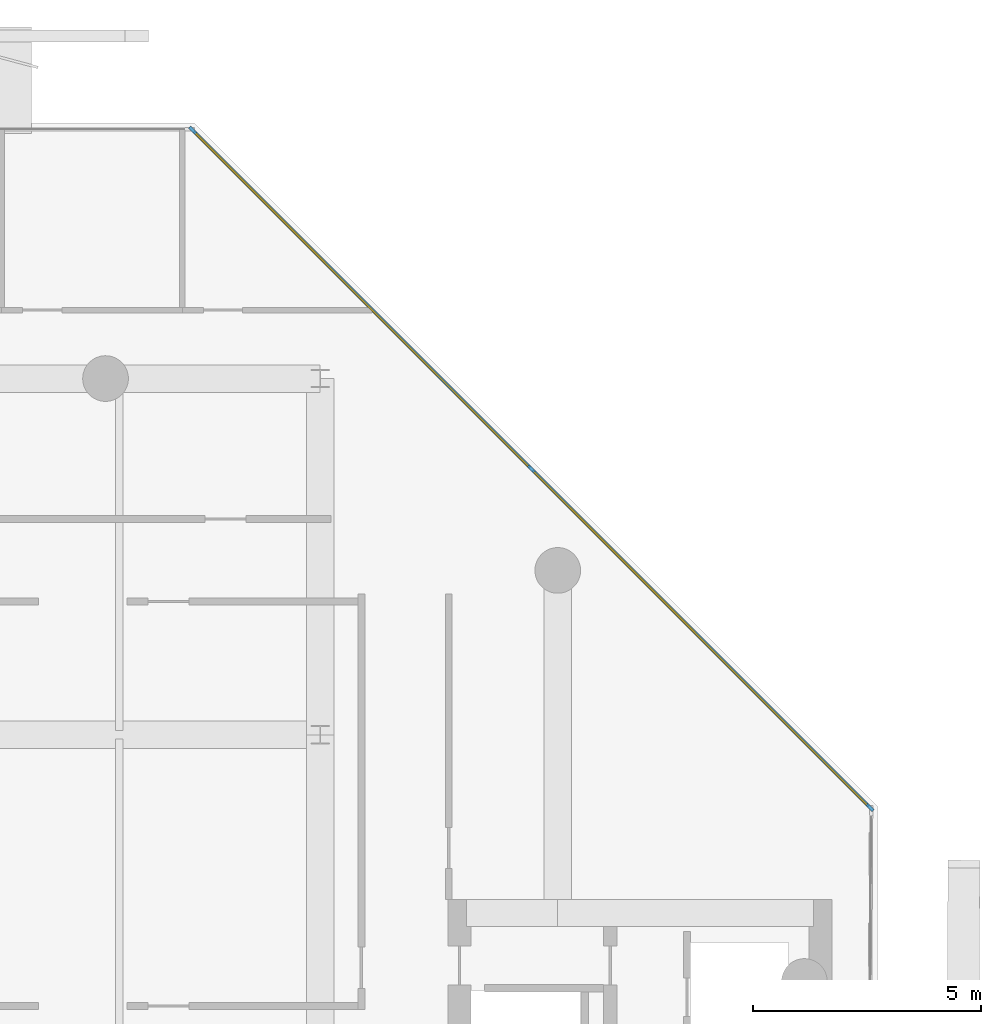
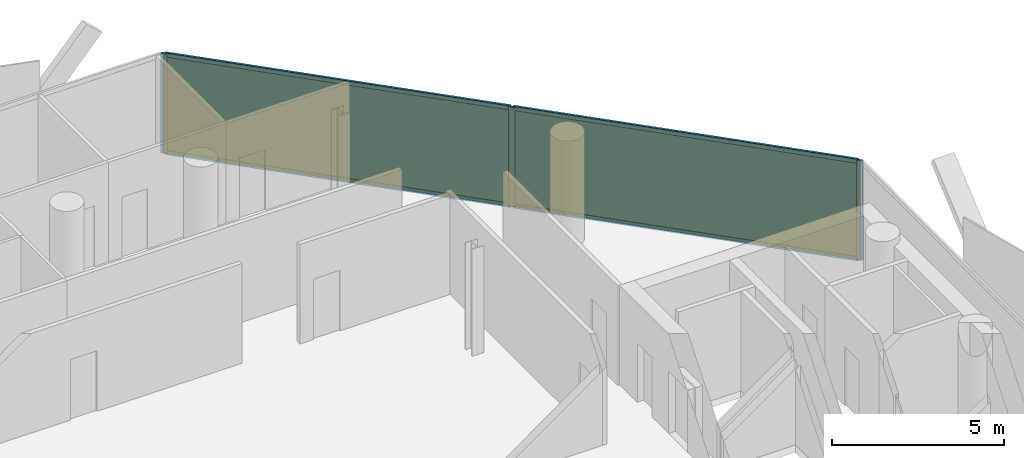
# One storey, part 13 of 17: 7 members, 2 plates, 1 curtain wall.
"""IFC4 building model written with IfcOpenShell, lengths in metres."""

import ifcopenshell
import ifcopenshell.guid

model = None  # the IFC model being written
_history = None  # IfcOwnerHistory: only IFC2X3 demands one
_inside = {}  # id of a spatial element -> (the spatial element, [elements in it])
_under = {}  # id of a project, library or spatial element -> (it, [spatial elements below it])
_declared = {}  # id of a project -> (the project, [libraries it declares])
_typed = {}  # id of a type object -> (the type object, [elements of that type])
_made_of = {}  # id of a material, layer set ... -> (it, [elements and type objects made of it])


def new_model(schema):
    """Start an empty IFC model of exactly this schema.

    Asked for "IFC4X3", IfcOpenShell would pick the latest addendum, in which some entities
    have other attributes; the version numbers below select the first issue.
    IFC2X3 requires an IfcOwnerHistory on every rooted entity: one is made here for all.
    """
    global model, _history
    if schema == "IFC4X3":
        model = ifcopenshell.file(schema_version=(4, 3, 0, 0))
    else:
        model = ifcopenshell.file(schema=schema)
    _inside.clear()
    _under.clear()
    _declared.clear()
    _typed.clear()
    _made_of.clear()
    _history = None
    if model.schema == "IFC2X3":
        org = make("IfcOrganization", Name="unknown")
        user = make(
            "IfcPersonAndOrganization",
            ThePerson=make("IfcPerson", FamilyName="unknown"),
            TheOrganization=org,
        )
        app = make(
            "IfcApplication",
            ApplicationDeveloper=org,
            Version="unknown",
            ApplicationFullName="unknown",
            ApplicationIdentifier="unknown",
        )
        _history = make(
            "IfcOwnerHistory",
            OwningUser=user,
            OwningApplication=app,
            ChangeAction="ADDED",
            CreationDate=0,
        )
    return model


def make(cls, **values):
    """One entity of the class cls with the attributes given. An attribute that is None is left unset."""
    return model.create_entity(
        cls, **{name: value for name, value in values.items() if value is not None}
    )


def rooted(cls, **values):
    """An entity with a GlobalId (a new one), such as an element, a storey or a relation."""
    return make(cls, GlobalId=ifcopenshell.guid.new(), OwnerHistory=_history, **values)


def si_unit(unit_type, name, prefix=None):
    """IfcSIUnit, for example si_unit("LENGTHUNIT", "METRE", prefix="MILLI")."""
    return make("IfcSIUnit", UnitType=unit_type, Prefix=prefix, Name=name)


def assignment(units):
    """IfcUnitAssignment: the units of a project."""
    return None if units is None else make("IfcUnitAssignment", Units=units)


def point(xyz):
    """IfcCartesianPoint."""
    return None if xyz is None else make("IfcCartesianPoint", Coordinates=xyz)


def direction(xyz):
    """IfcDirection."""
    return None if xyz is None else make("IfcDirection", DirectionRatios=xyz)


def frame(location, z_axis=None, x_axis=None):
    """IfcAxis2Placement3D, a coordinate frame: its origin and axes. An axis left out is left unset."""
    return make(
        "IfcAxis2Placement3D",
        Location=point(location),
        Axis=direction(z_axis),
        RefDirection=direction(x_axis),
    )


def frame_2d(location, x_axis=None):
    """IfcAxis2Placement2D, a coordinate frame in the plane: its origin and x axis."""
    return make(
        "IfcAxis2Placement2D", Location=point(location), RefDirection=direction(x_axis)
    )


def origin():
    """The frame at (0, 0, 0) with its axes left unset."""
    return frame((0.0, 0.0, 0.0))


def origin_2d():
    """The frame at (0, 0) in the plane with its x axis left unset."""
    return frame_2d((0.0, 0.0))


def place(relative_to, where):
    """IfcLocalPlacement: puts the frame where relative to a parent placement (None: the world)."""
    return make(
        "IfcLocalPlacement", PlacementRelTo=relative_to, RelativePlacement=where
    )


def context(
    kind, dimensions, precision=None, world=None, true_north=None, identifier=None
):
    """IfcGeometricRepresentationContext, for example the 3D "Model" context."""
    return make(
        "IfcGeometricRepresentationContext",
        ContextIdentifier=identifier,
        ContextType=kind,
        CoordinateSpaceDimension=dimensions,
        Precision=precision,
        WorldCoordinateSystem=world,
        TrueNorth=true_north,
    )


def subcontext(parent, identifier, kind, view, scale=None):
    """IfcGeometricRepresentationSubContext, for example "Body" below "Model"."""
    return make(
        "IfcGeometricRepresentationSubContext",
        ContextIdentifier=identifier,
        ContextType=kind,
        ParentContext=parent,
        TargetScale=scale,
        TargetView=view,
    )


def project(units=None, contexts=None):
    """IfcProject with its units and contexts."""
    return rooted(
        "IfcProject",
        Name="project",
        RepresentationContexts=contexts,
        UnitsInContext=assignment(units),
    )


def spatial(cls, under=None, at=None, **own):
    """A site, building, storey or space (cls), placed at a placement, below another one or the project."""
    s = rooted(cls, ObjectPlacement=at, **own)
    if under is not None:
        _under.setdefault(under.id(), (under, []))[1].append(s)
    return s


def profile(cls, at=None, kind="AREA", **sizes):
    """A parametric profile (cls). Its sizes go by their IFC names, for example OverallWidth=200.0."""
    return make(cls, ProfileType=kind, Position=at, **sizes)


def rectangle(**sizes):
    """IfcRectangleProfileDef."""
    return profile("IfcRectangleProfileDef", **sizes)


def extrude(swept, where, along, depth):
    """IfcExtrudedAreaSolid: the profile swept, set in the frame where, extruded along a direction by depth."""
    return make(
        "IfcExtrudedAreaSolid",
        SweptArea=swept,
        Position=where,
        ExtrudedDirection=direction(along),
        Depth=depth,
    )


def shape(context_of_items, identifier, shape_type, items):
    """IfcShapeRepresentation: the items that make up one representation, for example the "Body"."""
    return make(
        "IfcShapeRepresentation",
        ContextOfItems=context_of_items,
        RepresentationIdentifier=identifier,
        RepresentationType=shape_type,
        Items=items,
    )


def material(Name=None, Category=None):
    """IfcMaterial."""
    return make("IfcMaterial", Name=Name, Category=Category)


def layer(
    of_material, thickness, ventilated=None, Name=None, Category=None, Priority=None
):
    """IfcMaterialLayer: one layer of a wall or slab, of a material (None: an air gap)."""
    return make(
        "IfcMaterialLayer",
        Material=of_material,
        LayerThickness=thickness,
        IsVentilated=ventilated,
        Name=Name,
        Category=Category,
        Priority=Priority,
    )


def layer_set(layers, Name=None):
    """IfcMaterialLayerSet."""
    return make("IfcMaterialLayerSet", MaterialLayers=layers, LayerSetName=Name)


def material_profile(
    of_material, cross_section, Name=None, Category=None, Priority=None
):
    """IfcMaterialProfile: a cross section and its material."""
    return make(
        "IfcMaterialProfile",
        Name=Name,
        Material=of_material,
        Profile=cross_section,
        Priority=Priority,
        Category=Category,
    )


def profile_set(profiles, Name=None, composite=None):
    """IfcMaterialProfileSet."""
    return make(
        "IfcMaterialProfileSet",
        Name=Name,
        MaterialProfiles=profiles,
        CompositeProfile=composite,
    )


def made_of(thing, what):
    """Note that an element or type object is made of a material, layer set ...; save() writes the relation."""
    if what is not None:
        _made_of.setdefault(what.id(), (what, []))[1].append(thing)
    return thing


def type_object(cls, material=None, **own):
    """A type object (cls), such as IfcWallType, which elements share."""
    return made_of(rooted(cls, **own), material)


def element(
    cls,
    number,
    at=None,
    inside=None,
    cuts=None,
    type_object=None,
    material=None,
    context=None,
    identifier="Body",
    shape_type=None,
    held_by="IfcProductDefinitionShape",
    body=None,
    shapes=None,
    **own,
):
    """One element of the class cls, such as IfcWall. Its Tag is "e" and its number.

    at: its placement. inside: the storey or other place that contains it. cuts: it is an
    opening in that element (IfcRelVoidsElement). A single representation is given by context,
    identifier, shape_type and body (its items); several are given by shapes. held_by: the class
    of the entity that holds the representations. save() writes the other relations.
    """
    e = rooted(cls, Tag="e%d" % number, ObjectPlacement=at, **own)
    if body is not None:
        shapes = [shape(context, identifier, shape_type, body)]
    if shapes is not None:
        e.Representation = make(held_by, Representations=shapes)
    if inside is not None:
        _inside.setdefault(inside.id(), (inside, []))[1].append(e)
    if cuts is not None:
        rooted(
            "IfcRelVoidsElement", RelatingBuildingElement=cuts, RelatedOpeningElement=e
        )
    if type_object is not None:
        _typed.setdefault(type_object.id(), (type_object, []))[1].append(e)
    return made_of(e, material)


def aggregate(whole, parts):
    """IfcRelAggregates: a whole, such as a stair, and the parts it consists of."""
    return rooted("IfcRelAggregates", RelatingObject=whole, RelatedObjects=parts)


def save(model, path):
    """Write the relations noted so far, then the file.

    IfcRelAggregates (storeys below a building ...), IfcRelContainedInSpatialStructure (elements
    in a storey), IfcRelDefinesByType, IfcRelAssociatesMaterial and IfcRelDeclares: one each for
    every whole, place, type object, material and project.
    """
    for whole, parts in _under.values():
        aggregate(whole, parts)
    for where, things in _inside.values():
        rooted(
            "IfcRelContainedInSpatialStructure",
            RelatedElements=things,
            RelatingStructure=where,
        )
    for kind, things in _typed.values():
        rooted("IfcRelDefinesByType", RelatedObjects=things, RelatingType=kind)
    for what, things in _made_of.values():
        rooted("IfcRelAssociatesMaterial", RelatedObjects=things, RelatingMaterial=what)
    for by, libraries in _declared.values():
        rooted("IfcRelDeclares", RelatingContext=by, RelatedDefinitions=libraries)
    model.write(path)


model = new_model("IFC4")

# Units and contexts
model_context = context("Model", 3, precision=1e-05, world=origin(), true_north=direction((0.0, 1.0)))
body_context = subcontext(model_context, "Body", "Model", "MODEL_VIEW")
ifc_project = project(units=[si_unit("LENGTHUNIT", "METRE"), si_unit("AREAUNIT", "SQUARE_METRE"), si_unit("VOLUMEUNIT", "CUBIC_METRE"), si_unit("PLANEANGLEUNIT", "RADIAN"), si_unit("MASSUNIT", "GRAM", prefix="KILO")], contexts=[model_context])

# Member
ifc_material_1 = material(Name="Anodised Bronze Aluminium 6063-T6", Category="aluminium")
ifc_material_profile_1 = material_profile(ifc_material_1, rectangle(XDim=0.070068359375, YDim=0.18994140625, at=origin_2d()))
ifc_profile_set_1 = profile_set([ifc_material_profile_1], Name="Anodised Bronze Aluminium 6063-T6")
member_type_1 = type_object("IfcMemberType", Name="CW-SLC Mullion 70x190", PredefinedType="MULLION", material=ifc_profile_set_1)
site_placement = place(None, origin())
building_placement = place(site_placement, origin())
storey_placement = place(building_placement, frame((0.0, 0.0, 308.0)))
member_1_placement = place(storey_placement, frame((6.40673828125, 24.03515625, 0.0), z_axis=(0.0, 0.0, 1.0), x_axis=(0.707106781187, 0.707106781187, 0.0)))
member_1 = element("IfcMember", 1, at=member_1_placement, type_object=member_type_1, Name="CW-SLC mullion 1", PredefinedType="MULLION", context=body_context, shape_type="SweptSolid", body=[
    extrude(rectangle(XDim=0.070068359375, YDim=0.18994140625, at=origin_2d()), origin(), (0.0, 0.0, 1.0), 3.5400390625),
])

member_2_placement = place(storey_placement, frame((13.821044921875, 16.62109375, 0.0), z_axis=(0.0, 0.0, 1.0), x_axis=(0.707106781187, 0.707106781187, 0.0)))
member_2 = element("IfcMember", 2, at=member_2_placement, type_object=member_type_1, Name="CW-SLC mullion 2", PredefinedType="MULLION", context=body_context, shape_type="SweptSolid", body=[
    extrude(rectangle(XDim=0.070068359375, YDim=0.18994140625, at=origin_2d()), origin(), (0.0, 0.0, 1.0), 3.5400390625),
])

member_3_placement = place(storey_placement, frame((21.2353515625, 9.206787109375, 0.0), z_axis=(0.0, 0.0, 1.0), x_axis=(0.707106781187, 0.707106781187, 0.0)))
member_3 = element("IfcMember", 3, at=member_3_placement, type_object=member_type_1, Name="CW-SLC mullion 3", PredefinedType="MULLION", context=body_context, shape_type="SweptSolid", body=[
    extrude(rectangle(XDim=0.070068359375, YDim=0.18994140625, at=origin_2d()), origin(), (0.0, 0.0, 1.0), 3.5400390625),
])

ifc_material_2 = material(Name="Anodised Bronze Aluminium 6063-T6", Category="aluminium")
ifc_material_profile_2 = material_profile(ifc_material_2, rectangle(XDim=0.070068359375, YDim=0.14990234375, at=origin_2d()))
ifc_profile_set_2 = profile_set([ifc_material_profile_2], Name="Anodised Bronze Aluminium 6063-T6")
member_type_2 = type_object("IfcMemberType", Name="CW-SLC Transom 70x150", PredefinedType="USERDEFINED", material=ifc_profile_set_2)
member_4_placement = place(storey_placement, frame((6.431396484375, 24.010498046875, 0.034912109375), z_axis=(0.707106781187, -0.707106781187, 0.0), x_axis=(0.707106781187, 0.707106781187, 0.0)))
member_4 = element("IfcMember", 4, at=member_4_placement, type_object=member_type_2, Name="CW-SLC transom 1.1", ObjectType="TRANSOM", PredefinedType="USERDEFINED", context=body_context, shape_type="SweptSolid", body=[
    extrude(rectangle(XDim=0.070068359375, YDim=0.14990234375, at=origin_2d()), origin(), (0.0, 0.0, 1.0), 10.415283203125),
])

member_5_placement = place(storey_placement, frame((6.431396484375, 24.010498046875, 3.5048828125), z_axis=(0.707106781187, -0.707106781187, 0.0), x_axis=(0.707106781187, 0.707106781187, 0.0)))
member_5 = element("IfcMember", 5, at=member_5_placement, type_object=member_type_2, Name="CW-SLC transom 1.2", ObjectType="TRANSOM", PredefinedType="USERDEFINED", context=body_context, shape_type="SweptSolid", body=[
    extrude(rectangle(XDim=0.070068359375, YDim=0.14990234375, at=origin_2d()), origin(), (0.0, 0.0, 1.0), 10.415283203125),
])

member_6_placement = place(storey_placement, frame((13.845703125, 16.59619140625, 0.034912109375), z_axis=(0.707106781187, -0.707106781187, 0.0), x_axis=(0.707106781187, 0.707106781187, 0.0)))
member_6 = element("IfcMember", 6, at=member_6_placement, type_object=member_type_2, Name="CW-SLC transom 2.1", ObjectType="TRANSOM", PredefinedType="USERDEFINED", context=body_context, shape_type="SweptSolid", body=[
    extrude(rectangle(XDim=0.070068359375, YDim=0.14990234375, at=origin_2d()), origin(), (0.0, 0.0, 1.0), 10.415283203125),
])

member_7_placement = place(storey_placement, frame((13.845703125, 16.59619140625, 3.5048828125), z_axis=(0.707106781187, -0.707106781187, 0.0), x_axis=(0.707106781187, 0.707106781187, 0.0)))
member_7 = element("IfcMember", 7, at=member_7_placement, type_object=member_type_2, Name="CW-SLC transom 2.2", ObjectType="TRANSOM", PredefinedType="USERDEFINED", context=body_context, shape_type="SweptSolid", body=[
    extrude(rectangle(XDim=0.070068359375, YDim=0.14990234375, at=origin_2d()), origin(), (0.0, 0.0, 1.0), 10.415283203125),
])

# Plate
ifc_material_3 = material(Name="Low-E Solar Control Laminated Glass", Category="glass")
ifc_layer_1 = layer(ifc_material_3, 0.033935546875, Name="Low-E Solar Control Laminated Glass")
ifc_layer_set_1 = layer_set([ifc_layer_1], Name="Low-E Solar Control Laminated Glass")
plate_type = type_object("IfcPlateType", Name="CW-SLC Low-E Double Glazed Panel 34mm", PredefinedType="CURTAIN_PANEL", material=ifc_layer_set_1)
plate_1_placement = place(storey_placement, frame((10.11376953125, 20.328125, 0.070068359375), z_axis=(0.0, 0.0, 1.0), x_axis=(0.707106781187, -0.707106781187, 0.0)))
plate_1 = element("IfcPlate", 8, at=plate_1_placement, type_object=plate_type, Name="CW-SLC panel 1.1", PredefinedType="CURTAIN_PANEL", context=body_context, shape_type="SweptSolid", body=[
    extrude(rectangle(XDim=10.415283203125, YDim=0.033935546875, at=origin_2d()), origin(), (0.0, 0.0, 1.0), 3.39990234375),
])

plate_2_placement = place(storey_placement, frame((17.528076171875, 12.913818359375, 0.070068359375), z_axis=(0.0, 0.0, 1.0), x_axis=(0.707106781187, -0.707106781187, 0.0)))
plate_2 = element("IfcPlate", 9, at=plate_2_placement, type_object=plate_type, Name="CW-SLC panel 2.1", PredefinedType="CURTAIN_PANEL", context=body_context, shape_type="SweptSolid", body=[
    extrude(rectangle(XDim=10.415283203125, YDim=0.033935546875, at=origin_2d()), origin(), (0.0, 0.0, 1.0), 3.39990234375),
])

# Site, building, storey
site = spatial("IfcSite", under=ifc_project, at=site_placement, CompositionType="ELEMENT")
building = spatial("IfcBuilding", under=site, at=building_placement, Name="Khairoan Windgate Tower", CompositionType="ELEMENT")
storey = spatial("IfcBuildingStorey", under=building, at=storey_placement, Name="L74", CompositionType="ELEMENT", Elevation=308.0)

# Curtain wall
ifc_material_4 = material(Name="Anodised Bronze Aluminium 6063-T6", Category="aluminium")
ifc_layer_2 = layer(ifc_material_4, 0.18994140625, Name="Anodised Bronze Aluminium 6063-T6")
ifc_layer_set_2 = layer_set([ifc_layer_2], Name="Anodised Bronze Aluminium 6063-T6")
curtain_wall_type = type_object("IfcCurtainWallType", Name="Diagonal Corner-Slice Facet Curtain Wall CW-SLC", PredefinedType="NOTDEFINED", material=ifc_layer_set_2)
curtain_wall_placement = place(storey_placement, frame((6.382080078125, 24.06005859375, 0.0), z_axis=(0.0, 0.0, 1.0), x_axis=(0.707100979547, -0.707112582779, 0.0)))
curtain_wall = element("IfcCurtainWall", 10, at=curtain_wall_placement, inside=storey, type_object=curtain_wall_type, Name="L74 Crystal Slice Curtain Wall 8", PredefinedType="NOTDEFINED", context=body_context, shape_type="SweptSolid", body=[
    extrude(rectangle(XDim=21.040771484375, YDim=0.010009765625, at=frame_2d((10.5205078125, 0.0))), origin(), (0.0, 0.0, 1.0), 3.5400390625),
])

aggregate(curtain_wall, [member_1, member_2, member_3, member_4, member_5, plate_1, member_6, member_7, plate_2])

save(model, "model.ifc")
